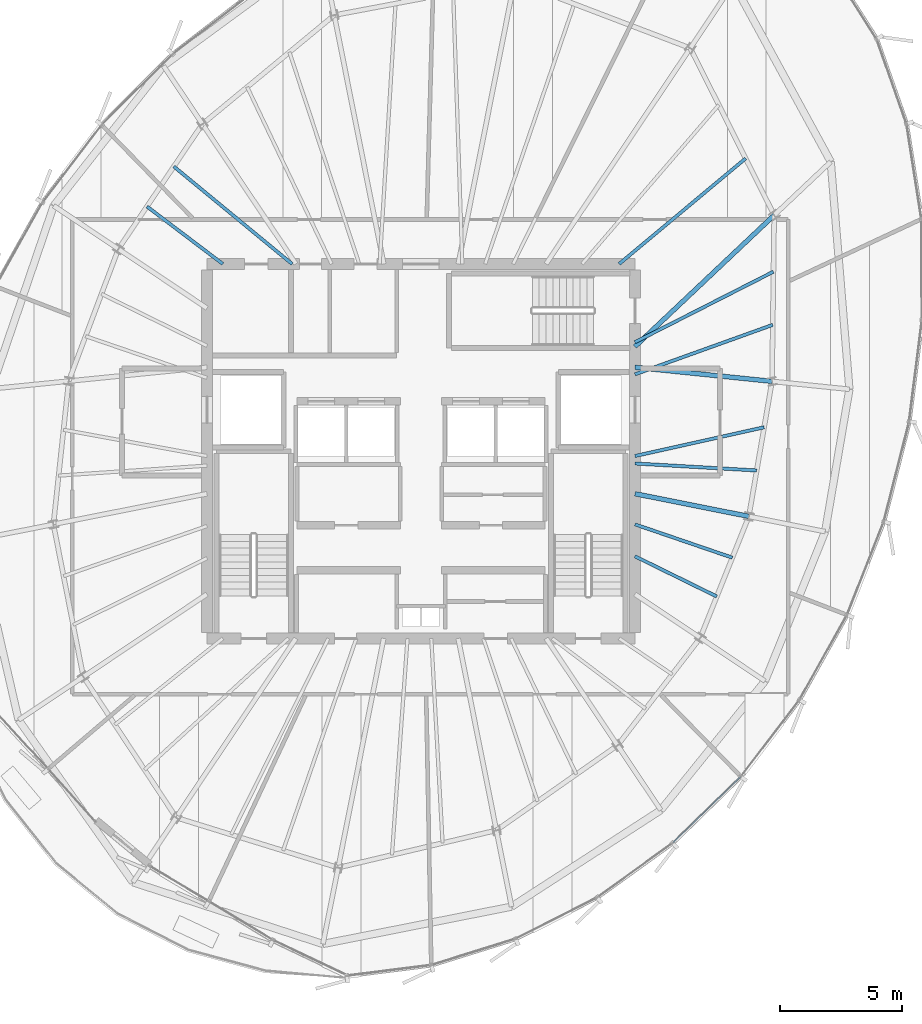
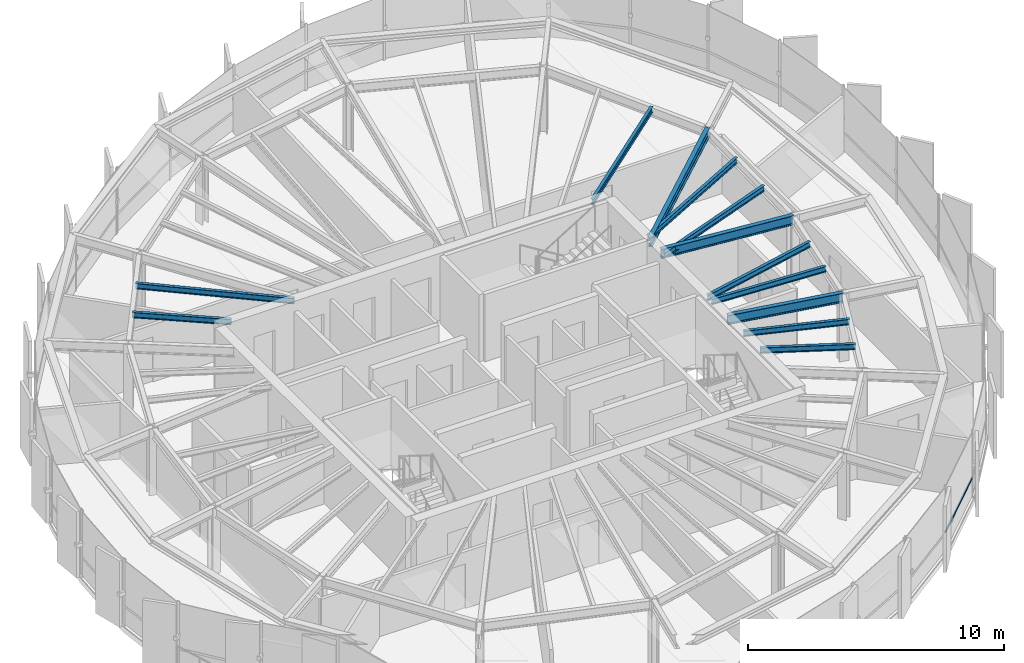
# One storey, part 12 of 34: 12 beams, 1 member, 1 element without a shape of its own.
"""IFC4 building model written with IfcOpenShell, lengths in metres."""

from ifc_helpers import new_model, si_unit, direction, frame, origin, origin_2d, place, context, subcontext, project, spatial, hollow_rectangle, i_section, extrude, source, transform, mapped, material, layer, layer_set, material_profile, profile_set, type_object, element, aggregate, save


model = new_model("IFC4")

# Units and contexts
model_context = context("Model", 3, precision=1e-05, world=origin(), true_north=direction((0.0, 1.0)))
body_context = subcontext(model_context, "Body", "Model", "MODEL_VIEW")
ifc_project = project(units=[si_unit("LENGTHUNIT", "METRE"), si_unit("AREAUNIT", "SQUARE_METRE"), si_unit("VOLUMEUNIT", "CUBIC_METRE"), si_unit("PLANEANGLEUNIT", "RADIAN"), si_unit("MASSUNIT", "GRAM", prefix="KILO"), si_unit("THERMODYNAMICTEMPERATUREUNIT", "KELVIN")], contexts=[model_context])

# Site, building, storey
site_placement = place(None, origin())
site = spatial("IfcSite", under=ifc_project, at=site_placement, CompositionType="ELEMENT")
building_placement = place(site_placement, origin())
building = spatial("IfcBuilding", under=site, at=building_placement, Name="Kethvar Cultural Tower", CompositionType="ELEMENT")
storey_placement = place(building_placement, frame((0.0, 0.0, 262.89990234375)))
storey = spatial("IfcBuildingStorey", under=building, at=storey_placement, Name="L69", CompositionType="ELEMENT", Elevation=262.89990234375)

# Beams
ifc_material_1 = material(Name="Steel S355J2", Category="steel")
ifc_material_profile_1 = material_profile(ifc_material_1, i_section(OverallWidth=0.18994140625, OverallDepth=0.449951171875, WebThickness=0.009521484375, FlangeThickness=0.0146484375, FilletRadius=0.02099609375, at=origin_2d()), Name="Steel S355J2 — IPE450")
ifc_profile_set_1 = profile_set([ifc_material_profile_1], Name="Steel S355J2 — IPE450")
beam_type_1 = type_object("IfcBeamType", Name="BM-IPE450", PredefinedType="BEAM", material=ifc_profile_set_1)
shared_shape_1 = source(origin(), body_context, "Body", "SweptSolid", [
    extrude(i_section(OverallWidth=0.18994140625, OverallDepth=0.449951171875, WebThickness=0.009521484375, FlangeThickness=0.0146484375, FilletRadius=0.02099609375, at=origin_2d()), origin(), (0.0, 0.0, 1.0), 5.66650390625),
])
beam_1_placement = place(storey_placement, frame((55.60009765625, 31.25, 2.983154296875), z_axis=(0.994777513459, -0.102067128476, 0.0), x_axis=(0.102067128476, 0.994777513459, 0.0)))
element("IfcBeam", 1, at=beam_1_placement, inside=storey, type_object=beam_type_1, Name="L69 Primary Radial Beam RB-01", PredefinedType="BEAM", context=body_context, shape_type="MappedRepresentation", body=[
    mapped(shared_shape_1, transform((0.0, 0.0, 0.0), scale=1.0)),
])
shared_shape_2 = source(origin(), body_context, "Body", "SweptSolid", [
    extrude(i_section(OverallWidth=0.18994140625, OverallDepth=0.449951171875, WebThickness=0.009521484375, FlangeThickness=0.0146484375, FilletRadius=0.02099609375, at=origin_2d()), origin(), (0.0, 0.0, 1.0), 7.874267578125),
])
beam_2_placement = place(storey_placement, frame((55.60009765625, 32.10009765625, 2.983154296875), z_axis=(0.727123202456, 0.686506990823, 0.0), x_axis=(-0.686506990823, 0.727123202456, 0.0)))
element("IfcBeam", 2, at=beam_2_placement, inside=storey, type_object=beam_type_1, Name="L69 Primary Radial Beam RB-02", PredefinedType="BEAM", context=body_context, shape_type="MappedRepresentation", body=[
    mapped(shared_shape_2, transform((0.0, 0.0, 0.0), scale=1.0)),
])
shared_shape_3 = source(origin(), body_context, "Body", "SweptSolid", [
    extrude(i_section(OverallWidth=0.18994140625, OverallDepth=0.449951171875, WebThickness=0.009521484375, FlangeThickness=0.0146484375, FilletRadius=0.02099609375, at=origin_2d()), origin(), (0.0, 0.0, 1.0), 4.775390625),
])
beam_3_placement = place(storey_placement, frame((55.60009765625, 26.049560546875, 2.983154296875), z_axis=(0.980784643133, -0.195093525761, 0.0), x_axis=(0.195093525761, 0.980784643133, 0.0)))
element("IfcBeam", 3, at=beam_3_placement, inside=storey, type_object=beam_type_1, Name="L69 Primary Radial Beam RB-16", PredefinedType="BEAM", context=body_context, shape_type="MappedRepresentation", body=[
    mapped(shared_shape_3, transform((0.0, 0.0, 0.0), scale=1.0)),
])
ifc_material_profile_2 = material_profile(ifc_material_1, i_section(OverallWidth=0.135009765625, OverallDepth=0.27001953125, WebThickness=0.006591796875, FlangeThickness=0.01025390625, FilletRadius=0.014892578125, at=origin_2d()), Name="Steel S355J2 — IPE270")
ifc_profile_set_2 = profile_set([ifc_material_profile_2], Name="Steel S355J2 — IPE270")
beam_type_2 = type_object("IfcBeamType", Name="BM-J270", PredefinedType="JOIST", material=ifc_profile_set_2)
shared_shape_4 = source(origin(), body_context, "Body", "SweptSolid", [
    extrude(i_section(OverallWidth=0.135009765625, OverallDepth=0.27001953125, WebThickness=0.006591796875, FlangeThickness=0.01025390625, FilletRadius=0.014892578125, at=origin_2d()), origin(), (0.0, 0.0, 1.0), 6.021240234375),
])
beam_4_placement = place(storey_placement, frame((55.60009765625, 30.960205078125, 3.072998046875), z_axis=(0.94114970072, 0.337990001086, 0.0), x_axis=(-0.337990001086, 0.94114970072, 0.0)))
element("IfcBeam", 4, at=beam_4_placement, inside=storey, type_object=beam_type_2, Name="L69 Composite Floor Joist J-01A", PredefinedType="JOIST", context=body_context, shape_type="MappedRepresentation", body=[
    mapped(shared_shape_4, transform((0.0, 0.0, 0.0), scale=1.0)),
])
shared_shape_5 = source(origin(), body_context, "Body", "SweptSolid", [
    extrude(i_section(OverallWidth=0.135009765625, OverallDepth=0.27001953125, WebThickness=0.006591796875, FlangeThickness=0.01025390625, FilletRadius=0.014892578125, at=origin_2d()), origin(), (0.0, 0.0, 1.0), 6.3916015625),
])
beam_5_placement = place(storey_placement, frame((55.60009765625, 32.281494140625, 3.072998046875), z_axis=(0.891094874615, 0.453817060538, 0.0), x_axis=(-0.453817060538, 0.891094874615, 0.0)))
element("IfcBeam", 5, at=beam_5_placement, inside=storey, type_object=beam_type_2, Name="L69 Composite Floor Joist J-01B", PredefinedType="JOIST", context=body_context, shape_type="MappedRepresentation", body=[
    mapped(shared_shape_5, transform((0.0, 0.0, 0.0), scale=1.0)),
])
shared_shape_6 = source(origin(), body_context, "Body", "SweptSolid", [
    extrude(i_section(OverallWidth=0.135009765625, OverallDepth=0.27001953125, WebThickness=0.006591796875, FlangeThickness=0.01025390625, FilletRadius=0.014892578125, at=origin_2d()), origin(), (0.0, 0.0, 1.0), 6.776123046875),
])
beam_6_placement = place(storey_placement, frame((54.949951171875, 35.5, 3.072998046875), z_axis=(0.767801747857, 0.6406875026, 0.0), x_axis=(-0.6406875026, 0.767801747857, 0.0)))
element("IfcBeam", 6, at=beam_6_placement, inside=storey, type_object=beam_type_2, Name="L69 Composite Floor Joist J-02A", PredefinedType="JOIST", context=body_context, shape_type="MappedRepresentation", body=[
    mapped(shared_shape_6, transform((0.0, 0.0, 0.0), scale=1.0)),
])
shared_shape_7 = source(origin(), body_context, "Body", "SweptSolid", [
    extrude(i_section(OverallWidth=0.135009765625, OverallDepth=0.27001953125, WebThickness=0.006591796875, FlangeThickness=0.01025390625, FilletRadius=0.014892578125, at=origin_2d()), origin(), (0.0, 0.0, 1.0), 6.302978515625),
])
beam_7_placement = place(storey_placement, frame((41.5, 35.5, 3.072998046875), z_axis=(-0.771828477148, 0.635830796567, 0.0), x_axis=(-0.635830796567, -0.771828477148, 0.0)))
element("IfcBeam", 7, at=beam_7_placement, inside=storey, type_object=beam_type_2, Name="L69 Composite Floor Joist J-06A", PredefinedType="JOIST", context=body_context, shape_type="MappedRepresentation", body=[
    mapped(shared_shape_7, transform((0.0, 0.0, 0.0), scale=1.0)),
])
shared_shape_8 = source(origin(), body_context, "Body", "SweptSolid", [
    extrude(i_section(OverallWidth=0.135009765625, OverallDepth=0.27001953125, WebThickness=0.006591796875, FlangeThickness=0.01025390625, FilletRadius=0.014892578125, at=origin_2d()), origin(), (0.0, 0.0, 1.0), 3.91357421875),
])
beam_8_placement = place(storey_placement, frame((38.64990234375, 35.5, 3.072998046875), z_axis=(-0.797214062325, 0.603696727531, 0.0), x_axis=(-0.603696727531, -0.797214062325, 0.0)))
element("IfcBeam", 8, at=beam_8_placement, inside=storey, type_object=beam_type_2, Name="L69 Composite Floor Joist J-06B", PredefinedType="JOIST", context=body_context, shape_type="MappedRepresentation", body=[
    mapped(shared_shape_8, transform((0.0, 0.0, 0.0), scale=1.0)),
])
shared_shape_9 = source(origin(), body_context, "Body", "SweptSolid", [
    extrude(i_section(OverallWidth=0.135009765625, OverallDepth=0.27001953125, WebThickness=0.006591796875, FlangeThickness=0.01025390625, FilletRadius=0.014892578125, at=origin_2d()), origin(), (0.0, 0.0, 1.0), 3.75),
])
beam_9_placement = place(storey_placement, frame((55.60009765625, 23.476318359375, 3.072998046875), z_axis=(0.8975046019, -0.441005090184, 0.0), x_axis=(0.441005090184, 0.8975046019, 0.0)))
element("IfcBeam", 9, at=beam_9_placement, inside=storey, type_object=beam_type_2, Name="L69 Composite Floor Joist J-15A", PredefinedType="JOIST", context=body_context, shape_type="MappedRepresentation", body=[
    mapped(shared_shape_9, transform((0.0, 0.0, 0.0), scale=1.0)),
])
shared_shape_10 = source(origin(), body_context, "Body", "SweptSolid", [
    extrude(i_section(OverallWidth=0.135009765625, OverallDepth=0.27001953125, WebThickness=0.006591796875, FlangeThickness=0.01025390625, FilletRadius=0.014892578125, at=origin_2d()), origin(), (0.0, 0.0, 1.0), 4.232421875),
])
beam_10_placement = place(storey_placement, frame((55.60009765625, 24.7900390625, 3.072998046875), z_axis=(0.946173747357, -0.323659141402, 0.0), x_axis=(0.323659141402, 0.946173747357, 0.0)))
element("IfcBeam", 10, at=beam_10_placement, inside=storey, type_object=beam_type_2, Name="L69 Composite Floor Joist J-15B", PredefinedType="JOIST", context=body_context, shape_type="MappedRepresentation", body=[
    mapped(shared_shape_10, transform((0.0, 0.0, 0.0), scale=1.0)),
])
shared_shape_11 = source(origin(), body_context, "Body", "SweptSolid", [
    extrude(i_section(OverallWidth=0.135009765625, OverallDepth=0.27001953125, WebThickness=0.006591796875, FlangeThickness=0.01025390625, FilletRadius=0.014892578125, at=origin_2d()), origin(), (0.0, 0.0, 1.0), 5.01611328125),
])
beam_11_placement = place(storey_placement, frame((55.60009765625, 27.294189453125, 3.072998046875), z_axis=(0.998352190078, -0.057383835418, 0.0), x_axis=(0.057383835418, 0.998352190078, 0.0)))
element("IfcBeam", 11, at=beam_11_placement, inside=storey, type_object=beam_type_2, Name="L69 Composite Floor Joist J-16A", PredefinedType="JOIST", context=body_context, shape_type="MappedRepresentation", body=[
    mapped(shared_shape_11, transform((0.0, 0.0, 0.0), scale=1.0)),
])
shared_shape_12 = source(origin(), body_context, "Body", "SweptSolid", [
    extrude(i_section(OverallWidth=0.135009765625, OverallDepth=0.27001953125, WebThickness=0.006591796875, FlangeThickness=0.01025390625, FilletRadius=0.014892578125, at=origin_2d()), origin(), (0.0, 0.0, 1.0), 5.44287109375),
])
beam_12_placement = place(storey_placement, frame((55.60009765625, 27.60009765625, 3.072998046875), z_axis=(0.976080346759, 0.217410111702, 0.0), x_axis=(-0.217410111702, 0.976080346759, 0.0)))
element("IfcBeam", 12, at=beam_12_placement, inside=storey, type_object=beam_type_2, Name="L69 Composite Floor Joist J-16B", PredefinedType="JOIST", context=body_context, shape_type="MappedRepresentation", body=[
    mapped(shared_shape_12, transform((0.0, 0.0, 0.0), scale=1.0)),
])

# Curtain wall, member
ifc_material_2 = material(Name="Aluminium 6063-T6", Category="aluminium")
ifc_layer = layer(ifc_material_2, 0.179931640625, Name="Aluminium 6063-T6", Category="aluminium")
ifc_layer_set = layer_set([ifc_layer], Name="Aluminium 6063-T6 (180 mm)")
curtain_wall_type = type_object("IfcCurtainWallType", Name="CW-SYS-05-Z56", PredefinedType="NOTDEFINED", material=ifc_layer_set)
curtain_wall_placement = place(storey_placement, origin())
curtain_wall = element("IfcCurtainWall", 13, at=curtain_wall_placement, inside=storey, type_object=curtain_wall_type, Name="L69 Curtain Wall Run 05", PredefinedType="NOTDEFINED")
ifc_material_profile_3 = material_profile(ifc_material_2, hollow_rectangle(XDim=0.050048828125, YDim=0.10009765625, WallThickness=0.00390625, at=origin_2d()), Name="Aluminium 6063-T6 — RHS100x50x4")
ifc_profile_set_3 = profile_set([ifc_material_profile_3], Name="Aluminium 6063-T6 — RHS100x50x4")
member_type = type_object("IfcMemberType", Name="CW-SYS-05-Z56-TRN", PredefinedType="USERDEFINED", material=ifc_profile_set_3)
shared_shape_13 = source(origin(), body_context, "Body", "SweptSolid", [
    extrude(hollow_rectangle(XDim=0.050048828125, YDim=0.10009765625, WallThickness=0.00390625, at=origin_2d()), origin(), (0.0, 0.0, 1.0), 3.858154296875),
])
member_placement = place(storey_placement, frame((57.17578125, 11.709716796875, 0.9501953125), z_axis=(0.71556667473, 0.698544439542, 0.0), x_axis=(-0.698544439542, 0.71556667473, 0.0)))
member = element("IfcMember", 14, at=member_placement, type_object=member_type, Name="CW-L69-R05 Transom 2", ObjectType="TRANSOM", PredefinedType="USERDEFINED", context=body_context, shape_type="MappedRepresentation", body=[
    mapped(shared_shape_13, transform((0.0, 0.0, 0.0), scale=1.0)),
])
aggregate(curtain_wall, [member])

save(model, "model.ifc")
